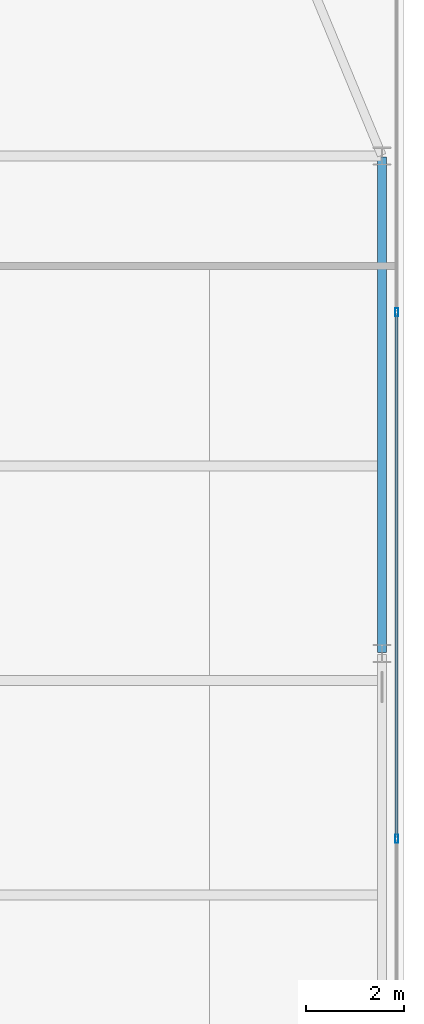
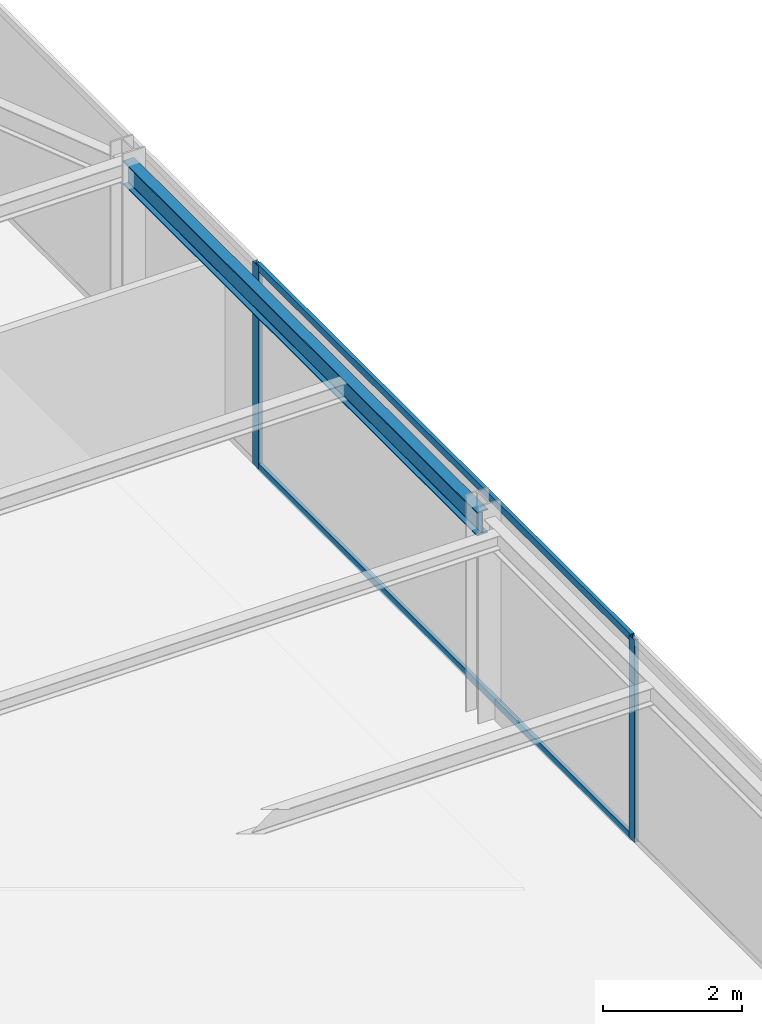
# One storey, part 17 of 30: 4 members, 1 beam, 1 element without a shape of its own.
"""IFC4 building model written with IfcOpenShell, lengths in metres."""

from ifc_helpers import new_model, si_unit, direction, frame, origin, origin_2d, place, context, subcontext, project, spatial, hollow_rectangle, i_section, extrude, source, transform, mapped, material, layer, layer_set, material_profile, profile_set, type_object, type_shapes, element, aggregate, save


model = new_model("IFC4")

# Units and contexts
model_context = context("Model", 3, precision=1e-05, world=origin(), true_north=direction((0.0, 1.0)))
body_context = subcontext(model_context, "Body", "Model", "MODEL_VIEW")
ifc_project = project(units=[si_unit("LENGTHUNIT", "METRE"), si_unit("AREAUNIT", "SQUARE_METRE"), si_unit("VOLUMEUNIT", "CUBIC_METRE"), si_unit("PLANEANGLEUNIT", "RADIAN"), si_unit("MASSUNIT", "GRAM", prefix="KILO")], contexts=[model_context])

# Site, building, storey
site_placement = place(None, origin())
site = spatial("IfcSite", under=ifc_project, at=site_placement, CompositionType="ELEMENT")
building_placement = place(site_placement, origin())
building = spatial("IfcBuilding", under=site, at=building_placement, Name="Varnel Quay Broadcast Tower", CompositionType="ELEMENT")
storey_placement = place(building_placement, frame((0.0, 0.0, 168.60009765625)))
storey = spatial("IfcBuildingStorey", under=building, at=storey_placement, Name="L41", CompositionType="ELEMENT", Elevation=168.60009765625)

# Beam
ifc_material_1 = material(Name="Structural Steel CSA G40.21 350W", Category="steel")
ifc_material_profile_1 = material_profile(ifc_material_1, i_section(OverallWidth=0.180908203125, OverallDepth=0.4169921875, WebThickness=0.010986328125, FlangeThickness=0.018310546875, FilletRadius=0.011962890625, at=origin_2d()), Name="W410X85")
ifc_profile_set_1 = profile_set([ifc_material_profile_1], Name="Structural Steel CSA G40.21 350W")
beam_type = type_object("IfcBeamType", Name="Beam_W410X85", PredefinedType="SPANDREL", material=ifc_profile_set_1)
shared_shape_1 = source(origin(), body_context, "Body", "SweptSolid", [
    extrude(i_section(OverallWidth=0.180908203125, OverallDepth=0.4169921875, WebThickness=0.010986328125, FlangeThickness=0.018310546875, FilletRadius=0.011962890625, at=origin_2d()), origin(), (0.0, 0.0, 1.0), 10.16015625),
])
type_shapes(beam_type, [shared_shape_1])
beam_placement = place(storey_placement, frame((60.550048828125, 25.419921875, 3.34130859375), z_axis=(0.0, 1.0, 0.0), x_axis=(-1.0, 0.0, 0.0)))
element("IfcBeam", 1, at=beam_placement, inside=storey, type_object=beam_type, Name="L41 East Spandrel TC-E2-TC-E3", PredefinedType="SPANDREL", context=body_context, shape_type="MappedRepresentation", body=[
    mapped(shared_shape_1, transform((0.0, 0.0, 0.0), x_axis=(1.0, 0.0, 0.0), y_axis=(0.0, 1.0, 0.0), z_axis=(0.0, 0.0, 1.0), scale=1.0)),
])

# Curtain wall, members
ifc_material_2 = material(Name="Anodised Bronze Aluminium 6063-T6", Category="aluminium")
ifc_layer = layer(ifc_material_2, 0.18994140625, Name="Anodised Bronze Aluminium 6063-T6")
ifc_layer_set = layer_set([ifc_layer], Name="Anodised Bronze Aluminium 6063-T6")
curtain_wall_type = type_object("IfcCurtainWallType", Name="CW_UpperTower", PredefinedType="NOTDEFINED", material=ifc_layer_set)
curtain_wall_placement = place(storey_placement, origin())
curtain_wall = element("IfcCurtainWall", 2, at=curtain_wall_placement, inside=storey, type_object=curtain_wall_type, Name="L41 East Unitised Curtain Wall", PredefinedType="NOTDEFINED")
ifc_material_profile_2 = material_profile(ifc_material_2, hollow_rectangle(XDim=0.06005859375, YDim=0.125, WallThickness=0.0029296875, at=origin_2d()), Name="ALU60X125X3")
ifc_profile_set_2 = profile_set([ifc_material_profile_2], Name="Anodised Bronze Aluminium 6063-T6")
member_type_1 = type_object("IfcMemberType", Name="Tran_CWS-03", PredefinedType="USERDEFINED", material=ifc_profile_set_2)
shared_shape_2 = source(origin(), body_context, "Body", "SweptSolid", [
    extrude(hollow_rectangle(XDim=0.06005859375, YDim=0.125, WallThickness=0.0029296875, at=origin_2d()), origin(), (0.0, 0.0, 1.0), 10.73486328125),
])
type_shapes(member_type_1, [shared_shape_2])
member_1_placement = place(storey_placement, frame((60.85009765625, 21.632568359375, 0.02978515625), z_axis=(0.0, 1.0, 0.0), x_axis=(-1.0, 0.0, 0.0)))
member_1 = element("IfcMember", 3, at=member_1_placement, type_object=member_type_1, Name="CWS-03 transom 2.1", ObjectType="TRANSOM", PredefinedType="USERDEFINED", context=body_context, shape_type="MappedRepresentation", body=[
    mapped(shared_shape_2, transform((0.0, 0.0, 0.0), x_axis=(1.0, 0.0, 0.0), y_axis=(0.0, 1.0, 0.0), z_axis=(0.0, 0.0, 1.0), scale=1.0)),
])
member_2_placement = place(storey_placement, frame((60.85009765625, 21.632568359375, 3.52001953125), z_axis=(0.0, 1.0, 0.0), x_axis=(-1.0, 0.0, 0.0)))
member_2 = element("IfcMember", 4, at=member_2_placement, type_object=member_type_1, Name="CWS-03 transom 2.2", ObjectType="TRANSOM", PredefinedType="USERDEFINED", context=body_context, shape_type="MappedRepresentation", body=[
    mapped(shared_shape_2, transform((0.0, 0.0, 0.0), x_axis=(1.0, 0.0, 0.0), y_axis=(0.0, 1.0, 0.0), z_axis=(0.0, 0.0, 1.0), scale=1.0)),
])
ifc_material_profile_3 = material_profile(ifc_material_2, hollow_rectangle(XDim=0.06494140625, YDim=0.1650390625, WallThickness=0.00341796875, at=origin_2d()), Name="ALU65X165X3.5")
ifc_profile_set_3 = profile_set([ifc_material_profile_3], Name="Anodised Bronze Aluminium 6063-T6")
member_type_2 = type_object("IfcMemberType", Name="Mull_CWS-03", PredefinedType="MULLION", material=ifc_profile_set_3)
shared_shape_3 = source(origin(), body_context, "Body", "SweptSolid", [
    extrude(hollow_rectangle(XDim=0.06494140625, YDim=0.1650390625, WallThickness=0.00341796875, at=origin_2d()), origin(), (0.0, 0.0, 1.0), 3.5498046875),
])
type_shapes(member_type_2, [shared_shape_3])
member_3_placement = place(storey_placement, frame((60.85009765625, 21.60009765625, 0.0), z_axis=(0.0, 0.0, 1.0), x_axis=(-1.0, 0.0, 0.0)))
member_3 = element("IfcMember", 5, at=member_3_placement, type_object=member_type_2, Name="CWS-03 mullion 2", PredefinedType="MULLION", context=body_context, shape_type="MappedRepresentation", body=[
    mapped(shared_shape_3, transform((0.0, 0.0, 0.0), x_axis=(1.0, 0.0, 0.0), y_axis=(0.0, 1.0, 0.0), z_axis=(0.0, 0.0, 1.0), scale=1.0)),
])
member_4_placement = place(storey_placement, frame((60.85009765625, 32.39990234375, 0.0), z_axis=(0.0, 0.0, 1.0), x_axis=(-1.0, 0.0, 0.0)))
member_4 = element("IfcMember", 6, at=member_4_placement, type_object=member_type_2, Name="CWS-03 mullion 3", PredefinedType="MULLION", context=body_context, shape_type="MappedRepresentation", body=[
    mapped(shared_shape_3, transform((0.0, 0.0, 0.0), x_axis=(1.0, 0.0, 0.0), y_axis=(0.0, 1.0, 0.0), z_axis=(0.0, 0.0, 1.0), scale=1.0)),
])
aggregate(curtain_wall, [member_3, member_4, member_1, member_2])

save(model, "model.ifc")
